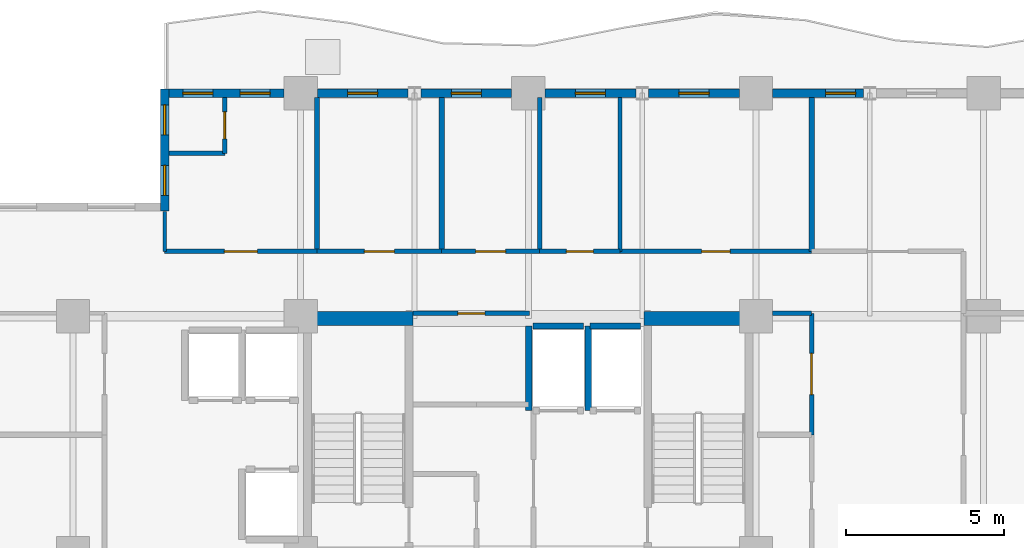
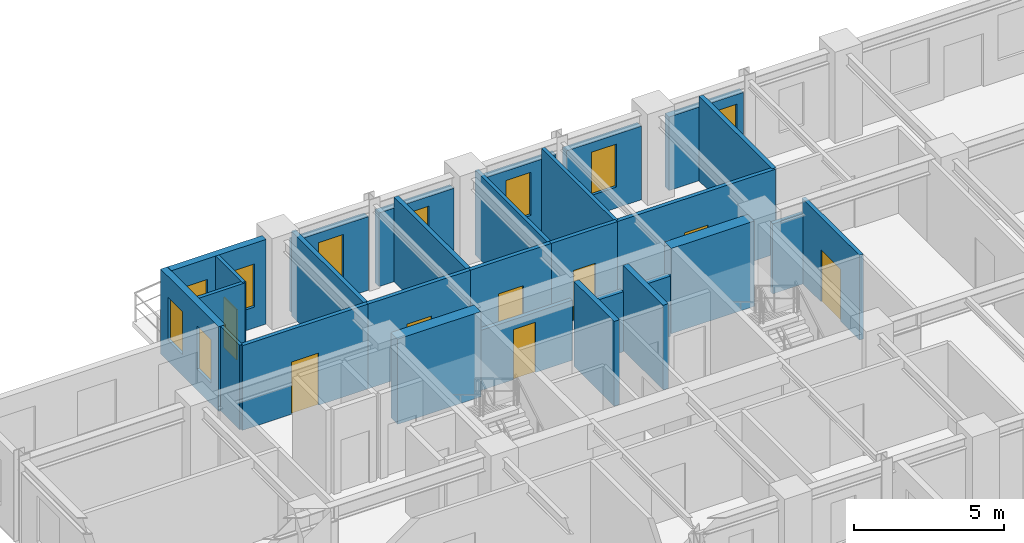
# One storey, part 8 of 13: 29 walls, 9 windows, 8 doors, 17 openings.
"""IFC4 building model written with IfcOpenShell, lengths in metres."""

import ifcopenshell
import ifcopenshell.guid

model = None  # the IFC model being written
_history = None  # IfcOwnerHistory: only IFC2X3 demands one
_inside = {}  # id of a spatial element -> (the spatial element, [elements in it])
_under = {}  # id of a project, library or spatial element -> (it, [spatial elements below it])
_declared = {}  # id of a project -> (the project, [libraries it declares])
_typed = {}  # id of a type object -> (the type object, [elements of that type])
_made_of = {}  # id of a material, layer set ... -> (it, [elements and type objects made of it])


def new_model(schema):
    """Start an empty IFC model of exactly this schema.

    Asked for "IFC4X3", IfcOpenShell would pick the latest addendum, in which some entities
    have other attributes; the version numbers below select the first issue.
    IFC2X3 requires an IfcOwnerHistory on every rooted entity: one is made here for all.
    """
    global model, _history
    if schema == "IFC4X3":
        model = ifcopenshell.file(schema_version=(4, 3, 0, 0))
    else:
        model = ifcopenshell.file(schema=schema)
    _inside.clear()
    _under.clear()
    _declared.clear()
    _typed.clear()
    _made_of.clear()
    _history = None
    if model.schema == "IFC2X3":
        org = make("IfcOrganization", Name="unknown")
        user = make(
            "IfcPersonAndOrganization",
            ThePerson=make("IfcPerson", FamilyName="unknown"),
            TheOrganization=org,
        )
        app = make(
            "IfcApplication",
            ApplicationDeveloper=org,
            Version="unknown",
            ApplicationFullName="unknown",
            ApplicationIdentifier="unknown",
        )
        _history = make(
            "IfcOwnerHistory",
            OwningUser=user,
            OwningApplication=app,
            ChangeAction="ADDED",
            CreationDate=0,
        )
    return model


def make(cls, **values):
    """One entity of the class cls with the attributes given. An attribute that is None is left unset."""
    return model.create_entity(
        cls, **{name: value for name, value in values.items() if value is not None}
    )


def rooted(cls, **values):
    """An entity with a GlobalId (a new one), such as an element, a storey or a relation."""
    return make(cls, GlobalId=ifcopenshell.guid.new(), OwnerHistory=_history, **values)


def si_unit(unit_type, name, prefix=None):
    """IfcSIUnit, for example si_unit("LENGTHUNIT", "METRE", prefix="MILLI")."""
    return make("IfcSIUnit", UnitType=unit_type, Prefix=prefix, Name=name)


def assignment(units):
    """IfcUnitAssignment: the units of a project."""
    return None if units is None else make("IfcUnitAssignment", Units=units)


def point(xyz):
    """IfcCartesianPoint."""
    return None if xyz is None else make("IfcCartesianPoint", Coordinates=xyz)


def direction(xyz):
    """IfcDirection."""
    return None if xyz is None else make("IfcDirection", DirectionRatios=xyz)


def frame(location, z_axis=None, x_axis=None):
    """IfcAxis2Placement3D, a coordinate frame: its origin and axes. An axis left out is left unset."""
    return make(
        "IfcAxis2Placement3D",
        Location=point(location),
        Axis=direction(z_axis),
        RefDirection=direction(x_axis),
    )


def frame_2d(location, x_axis=None):
    """IfcAxis2Placement2D, a coordinate frame in the plane: its origin and x axis."""
    return make(
        "IfcAxis2Placement2D", Location=point(location), RefDirection=direction(x_axis)
    )


def origin():
    """The frame at (0, 0, 0) with its axes left unset."""
    return frame((0.0, 0.0, 0.0))


def place(relative_to, where):
    """IfcLocalPlacement: puts the frame where relative to a parent placement (None: the world)."""
    return make(
        "IfcLocalPlacement", PlacementRelTo=relative_to, RelativePlacement=where
    )


def context(
    kind, dimensions, precision=None, world=None, true_north=None, identifier=None
):
    """IfcGeometricRepresentationContext, for example the 3D "Model" context."""
    return make(
        "IfcGeometricRepresentationContext",
        ContextIdentifier=identifier,
        ContextType=kind,
        CoordinateSpaceDimension=dimensions,
        Precision=precision,
        WorldCoordinateSystem=world,
        TrueNorth=true_north,
    )


def subcontext(parent, identifier, kind, view, scale=None):
    """IfcGeometricRepresentationSubContext, for example "Body" below "Model"."""
    return make(
        "IfcGeometricRepresentationSubContext",
        ContextIdentifier=identifier,
        ContextType=kind,
        ParentContext=parent,
        TargetScale=scale,
        TargetView=view,
    )


def project(units=None, contexts=None):
    """IfcProject with its units and contexts."""
    return rooted(
        "IfcProject",
        Name="project",
        RepresentationContexts=contexts,
        UnitsInContext=assignment(units),
    )


def spatial(cls, under=None, at=None, **own):
    """A site, building, storey or space (cls), placed at a placement, below another one or the project."""
    s = rooted(cls, ObjectPlacement=at, **own)
    if under is not None:
        _under.setdefault(under.id(), (under, []))[1].append(s)
    return s


def profile(cls, at=None, kind="AREA", **sizes):
    """A parametric profile (cls). Its sizes go by their IFC names, for example OverallWidth=200.0."""
    return make(cls, ProfileType=kind, Position=at, **sizes)


def rectangle(**sizes):
    """IfcRectangleProfileDef."""
    return profile("IfcRectangleProfileDef", **sizes)


def extrude(swept, where, along, depth):
    """IfcExtrudedAreaSolid: the profile swept, set in the frame where, extruded along a direction by depth."""
    return make(
        "IfcExtrudedAreaSolid",
        SweptArea=swept,
        Position=where,
        ExtrudedDirection=direction(along),
        Depth=depth,
    )


def shape(context_of_items, identifier, shape_type, items):
    """IfcShapeRepresentation: the items that make up one representation, for example the "Body"."""
    return make(
        "IfcShapeRepresentation",
        ContextOfItems=context_of_items,
        RepresentationIdentifier=identifier,
        RepresentationType=shape_type,
        Items=items,
    )


def material(Name=None, Category=None):
    """IfcMaterial."""
    return make("IfcMaterial", Name=Name, Category=Category)


def layer(
    of_material, thickness, ventilated=None, Name=None, Category=None, Priority=None
):
    """IfcMaterialLayer: one layer of a wall or slab, of a material (None: an air gap)."""
    return make(
        "IfcMaterialLayer",
        Material=of_material,
        LayerThickness=thickness,
        IsVentilated=ventilated,
        Name=Name,
        Category=Category,
        Priority=Priority,
    )


def layer_set(layers, Name=None):
    """IfcMaterialLayerSet."""
    return make("IfcMaterialLayerSet", MaterialLayers=layers, LayerSetName=Name)


def made_of(thing, what):
    """Note that an element or type object is made of a material, layer set ...; save() writes the relation."""
    if what is not None:
        _made_of.setdefault(what.id(), (what, []))[1].append(thing)
    return thing


def type_object(cls, material=None, **own):
    """A type object (cls), such as IfcWallType, which elements share."""
    return made_of(rooted(cls, **own), material)


def element(
    cls,
    number,
    at=None,
    inside=None,
    cuts=None,
    type_object=None,
    material=None,
    context=None,
    identifier="Body",
    shape_type=None,
    held_by="IfcProductDefinitionShape",
    body=None,
    shapes=None,
    **own,
):
    """One element of the class cls, such as IfcWall. Its Tag is "e" and its number.

    at: its placement. inside: the storey or other place that contains it. cuts: it is an
    opening in that element (IfcRelVoidsElement). A single representation is given by context,
    identifier, shape_type and body (its items); several are given by shapes. held_by: the class
    of the entity that holds the representations. save() writes the other relations.
    """
    e = rooted(cls, Tag="e%d" % number, ObjectPlacement=at, **own)
    if body is not None:
        shapes = [shape(context, identifier, shape_type, body)]
    if shapes is not None:
        e.Representation = make(held_by, Representations=shapes)
    if inside is not None:
        _inside.setdefault(inside.id(), (inside, []))[1].append(e)
    if cuts is not None:
        rooted(
            "IfcRelVoidsElement", RelatingBuildingElement=cuts, RelatedOpeningElement=e
        )
    if type_object is not None:
        _typed.setdefault(type_object.id(), (type_object, []))[1].append(e)
    return made_of(e, material)


def fill(opening, filler):
    """IfcRelFillsElement: the door or window that sits in an opening."""
    return rooted(
        "IfcRelFillsElement",
        RelatingOpeningElement=opening,
        RelatedBuildingElement=filler,
    )


def aggregate(whole, parts):
    """IfcRelAggregates: a whole, such as a stair, and the parts it consists of."""
    return rooted("IfcRelAggregates", RelatingObject=whole, RelatedObjects=parts)


def save(model, path):
    """Write the relations noted so far, then the file.

    IfcRelAggregates (storeys below a building ...), IfcRelContainedInSpatialStructure (elements
    in a storey), IfcRelDefinesByType, IfcRelAssociatesMaterial and IfcRelDeclares: one each for
    every whole, place, type object, material and project.
    """
    for whole, parts in _under.values():
        aggregate(whole, parts)
    for where, things in _inside.values():
        rooted(
            "IfcRelContainedInSpatialStructure",
            RelatedElements=things,
            RelatingStructure=where,
        )
    for kind, things in _typed.values():
        rooted("IfcRelDefinesByType", RelatedObjects=things, RelatingType=kind)
    for what, things in _made_of.values():
        rooted("IfcRelAssociatesMaterial", RelatedObjects=things, RelatingMaterial=what)
    for by, libraries in _declared.values():
        rooted("IfcRelDeclares", RelatingContext=by, RelatedDefinitions=libraries)
    model.write(path)


model = new_model("IFC4")

# Units and contexts
model_context = context("Model", 3, precision=1e-05, world=origin(), true_north=direction((0.0, 1.0)))
body_context = subcontext(model_context, "Body", "Model", "MODEL_VIEW")
ifc_project = project(units=[si_unit("LENGTHUNIT", "METRE"), si_unit("AREAUNIT", "SQUARE_METRE"), si_unit("VOLUMEUNIT", "CUBIC_METRE"), si_unit("PLANEANGLEUNIT", "RADIAN"), si_unit("MASSUNIT", "GRAM", prefix="KILO")], contexts=[model_context])

# Site, building, storey
site_placement = place(None, origin())
site = spatial("IfcSite", under=ifc_project, at=site_placement, CompositionType="ELEMENT")
building_placement = place(site_placement, origin())
building = spatial("IfcBuilding", under=site, at=building_placement, Name="Kaliganga Portal Commons", CompositionType="ELEMENT")
storey_placement = place(building_placement, frame((0.0, 0.0, 177.199951171875)))
storey = spatial("IfcBuildingStorey", under=building, at=storey_placement, Name="L45", CompositionType="ELEMENT", Elevation=177.199951171875)

# Walls
ifc_material_1 = material(Name="Concrete C60/75", Category="concrete")
ifc_layer_1 = layer(ifc_material_1, 0.449951171875)
ifc_layer_set_1 = layer_set([ifc_layer_1], Name="Concrete C60/75")
wall_type_1 = type_object("IfcWallType", Name="WL-CORE-450", PredefinedType="SHEAR", material=ifc_layer_set_1)
for number, where, z_axis, x_axis, name in (
    (1, (14.75, 36.074951171875, 0.0), (0.0, 0.0, 1.0), (1.0, 0.0, 0.0), "Core A N-West Shear Wall L45"),
    (2, (25.25, 36.074951171875, 0.0), (0.0, 0.0, 1.0), (1.0, 0.0, 0.0), "Core A N-East Shear Wall L45"),
):
    element("IfcWall", number, at=place(storey_placement, frame(where, z_axis=z_axis, x_axis=x_axis)), inside=storey, type_object=wall_type_1, Name=name, PredefinedType="SHEAR", context=body_context, shape_type="SweptSolid", body=[
        extrude(rectangle(XDim=3.199951171875, YDim=0.449951171875, at=frame_2d((1.60009765625, 0.0))), origin(), (0.0, 0.0, 1.0), 3.4599609375),
    ])

# Wall, opening, window
ifc_material_2 = material(Name="Insulated Aluminium-Clad Spandrel Assembly", Category="aluminium")
ifc_layer_2 = layer(ifc_material_2, 0.260009765625)
ifc_layer_set_2 = layer_set([ifc_layer_2], Name="Insulated Aluminium-Clad Spandrel Assembly")
wall_type_2 = type_object("IfcWallType", Name="WL-EXT-SPAND-260", PredefinedType="STANDARD", material=ifc_layer_set_2)
wall_1_placement = place(storey_placement, frame((29.325927734375, 43.199951171875, 0.0), z_axis=(0.0, 0.0, 1.0), x_axis=(1.0, 0.0, 0.0)))
wall_1 = element("IfcWall", 3, at=wall_1_placement, inside=storey, type_object=wall_type_2, Name="Exterior Envelope Wall L45 P1-E06-S3", PredefinedType="STANDARD", context=body_context, shape_type="SweptSolid", body=[
    extrude(rectangle(XDim=2.87109375, YDim=0.260009765625, at=frame_2d((1.435546875, 0.0))), origin(), (0.0, 0.0, 1.0), 2.989990234375),
])
opening_1_placement = place(wall_1_placement, frame((1.672607421875, 0.0, 0.85009765625)))
opening_1 = element("IfcOpeningElement", 4, at=opening_1_placement, cuts=wall_1, Name="Opening W-04", PredefinedType="OPENING", context=body_context, shape_type="SweptSolid", body=[
    extrude(rectangle(XDim=0.949951171875, YDim=1.75, at=frame_2d((0.47509765625, 0.875))), frame((0.0, 0.14013671875, 0.0), z_axis=(0.0, -1.0, 0.0), x_axis=(1.0, 0.0, 0.0)), (0.0, 0.0, 1.0), 0.280029296875),
])
ifc_material_3 = material(Name="Thermally Broken Aluminium and Low-E Double Glazing", Category="aluminium")
window_type = type_object("IfcWindowType", Name="WIN-NARROW-950", PartitioningType="SINGLE_PANEL", PredefinedType="WINDOW", material=ifc_material_3)
window_1_placement = place(opening_1_placement, origin())
window_1 = element("IfcWindow", 5, at=window_1_placement, inside=storey, type_object=window_type, Name="Facade Window L45-P1E06S3-N2", OverallHeight=1.75, OverallWidth=0.949951171875, PartitioningType="SINGLE_PANEL", PredefinedType="WINDOW", context=body_context, shape_type="SweptSolid", body=[
    extrude(rectangle(XDim=0.949951171875, YDim=1.75, at=frame_2d((0.47509765625, 0.875))), frame((0.0, 0.030029296875, 0.0), z_axis=(0.0, -1.0, 0.0), x_axis=(1.0, 0.0, 0.0)), (0.0, 0.0, 1.0), 0.06005859375),
])
fill(opening_1, window_1)

wall_2_placement = place(storey_placement, frame((25.403076171875, 43.199951171875, 0.0), z_axis=(0.0, 0.0, 1.0), x_axis=(1.0, 0.0, 0.0)))
wall_2 = element("IfcWall", 6, at=wall_2_placement, inside=storey, type_object=wall_type_2, Name="Exterior Envelope Wall L45 P1-E06-S4", PredefinedType="STANDARD", context=body_context, shape_type="SweptSolid", body=[
    extrude(rectangle(XDim=2.870849609375, YDim=0.260009765625, at=frame_2d((1.435546875, 0.0))), origin(), (0.0, 0.0, 1.0), 2.989990234375),
])
opening_2_placement = place(wall_2_placement, frame((0.96044921875, 0.0, 0.85009765625)))
opening_2 = element("IfcOpeningElement", 7, at=opening_2_placement, cuts=wall_2, Name="Opening W-04", PredefinedType="OPENING", context=body_context, shape_type="SweptSolid", body=[
    extrude(rectangle(XDim=0.949951171875, YDim=1.75, at=frame_2d((0.47509765625, 0.875))), frame((0.0, 0.14013671875, 0.0), z_axis=(0.0, -1.0, 0.0), x_axis=(1.0, 0.0, 0.0)), (0.0, 0.0, 1.0), 0.280029296875),
])
window_2_placement = place(opening_2_placement, origin())
window_2 = element("IfcWindow", 8, at=window_2_placement, inside=storey, type_object=window_type, Name="Facade Window L45-P1E06S4-00", OverallHeight=1.75, OverallWidth=0.949951171875, PartitioningType="SINGLE_PANEL", PredefinedType="WINDOW", context=body_context, shape_type="SweptSolid", body=[
    extrude(rectangle(XDim=0.949951171875, YDim=1.75, at=frame_2d((0.47509765625, 0.875))), frame((0.0, 0.030029296875, 0.0), z_axis=(0.0, -1.0, 0.0), x_axis=(1.0, 0.0, 0.0)), (0.0, 0.0, 1.0), 0.06005859375),
])
fill(opening_2, window_2)

wall_3_placement = place(storey_placement, frame((22.1259765625, 43.199951171875, 0.0), z_axis=(0.0, 0.0, 1.0), x_axis=(1.0, 0.0, 0.0)))
wall_3 = element("IfcWall", 9, at=wall_3_placement, inside=storey, type_object=wall_type_2, Name="Exterior Envelope Wall L45 P1-E06-S5", PredefinedType="STANDARD", context=body_context, shape_type="SweptSolid", body=[
    extrude(rectangle(XDim=2.87109375, YDim=0.260009765625, at=frame_2d((1.435546875, 0.0))), origin(), (0.0, 0.0, 1.0), 2.989990234375),
])
opening_3_placement = place(wall_3_placement, frame((0.96044921875, 0.0, 0.85009765625)))
opening_3 = element("IfcOpeningElement", 10, at=opening_3_placement, cuts=wall_3, Name="Opening W-04", PredefinedType="OPENING", context=body_context, shape_type="SweptSolid", body=[
    extrude(rectangle(XDim=0.949951171875, YDim=1.75, at=frame_2d((0.47509765625, 0.875))), frame((0.0, 0.14013671875, 0.0), z_axis=(0.0, -1.0, 0.0), x_axis=(1.0, 0.0, 0.0)), (0.0, 0.0, 1.0), 0.280029296875),
])
window_3_placement = place(opening_3_placement, origin())
window_3 = element("IfcWindow", 11, at=window_3_placement, inside=storey, type_object=window_type, Name="Facade Window L45-P1E06S5-00", OverallHeight=1.75, OverallWidth=0.949951171875, PartitioningType="SINGLE_PANEL", PredefinedType="WINDOW", context=body_context, shape_type="SweptSolid", body=[
    extrude(rectangle(XDim=0.949951171875, YDim=1.75, at=frame_2d((0.47509765625, 0.875))), frame((0.0, 0.030029296875, 0.0), z_axis=(0.0, -1.0, 0.0), x_axis=(1.0, 0.0, 0.0)), (0.0, 0.0, 1.0), 0.06005859375),
])
fill(opening_3, window_3)

wall_4_placement = place(storey_placement, frame((18.202880859375, 43.199951171875, 0.0), z_axis=(0.0, 0.0, 1.0), x_axis=(1.0, 0.0, 0.0)))
wall_4 = element("IfcWall", 12, at=wall_4_placement, inside=storey, type_object=wall_type_2, Name="Exterior Envelope Wall L45 P1-E06-S6", PredefinedType="STANDARD", context=body_context, shape_type="SweptSolid", body=[
    extrude(rectangle(XDim=2.87109375, YDim=0.260009765625, at=frame_2d((1.435546875, 0.0))), origin(), (0.0, 0.0, 1.0), 2.989990234375),
])
opening_4_placement = place(wall_4_placement, frame((0.96044921875, 0.0, 0.85009765625)))
opening_4 = element("IfcOpeningElement", 13, at=opening_4_placement, cuts=wall_4, Name="Opening W-04", PredefinedType="OPENING", context=body_context, shape_type="SweptSolid", body=[
    extrude(rectangle(XDim=0.949951171875, YDim=1.75, at=frame_2d((0.47509765625, 0.875))), frame((0.0, 0.14013671875, 0.0), z_axis=(0.0, -1.0, 0.0), x_axis=(1.0, 0.0, 0.0)), (0.0, 0.0, 1.0), 0.280029296875),
])
window_4_placement = place(opening_4_placement, origin())
window_4 = element("IfcWindow", 14, at=window_4_placement, inside=storey, type_object=window_type, Name="Facade Window L45-P1E06S6-00", OverallHeight=1.75, OverallWidth=0.949951171875, PartitioningType="SINGLE_PANEL", PredefinedType="WINDOW", context=body_context, shape_type="SweptSolid", body=[
    extrude(rectangle(XDim=0.949951171875, YDim=1.75, at=frame_2d((0.47509765625, 0.875))), frame((0.0, 0.030029296875, 0.0), z_axis=(0.0, -1.0, 0.0), x_axis=(1.0, 0.0, 0.0)), (0.0, 0.0, 1.0), 0.06005859375),
])
fill(opening_4, window_4)

wall_5_placement = place(storey_placement, frame((14.926025390625, 43.199951171875, 0.0), z_axis=(0.0, 0.0, 1.0), x_axis=(1.0, 0.0, 0.0)))
wall_5 = element("IfcWall", 15, at=wall_5_placement, inside=storey, type_object=wall_type_2, Name="Exterior Envelope Wall L45 P1-E06-S7", PredefinedType="STANDARD", context=body_context, shape_type="SweptSolid", body=[
    extrude(rectangle(XDim=2.87109375, YDim=0.260009765625, at=frame_2d((1.435546875, 0.0))), origin(), (0.0, 0.0, 1.0), 2.989990234375),
])
opening_5_placement = place(wall_5_placement, frame((0.96044921875, 0.0, 0.85009765625)))
opening_5 = element("IfcOpeningElement", 16, at=opening_5_placement, cuts=wall_5, Name="Opening W-04", PredefinedType="OPENING", context=body_context, shape_type="SweptSolid", body=[
    extrude(rectangle(XDim=0.949951171875, YDim=1.75, at=frame_2d((0.47509765625, 0.875))), frame((0.0, 0.14013671875, 0.0), z_axis=(0.0, -1.0, 0.0), x_axis=(1.0, 0.0, 0.0)), (0.0, 0.0, 1.0), 0.280029296875),
])
window_5_placement = place(opening_5_placement, origin())
window_5 = element("IfcWindow", 17, at=window_5_placement, inside=storey, type_object=window_type, Name="Facade Window L45-P1E06S7-00", OverallHeight=1.75, OverallWidth=0.949951171875, PartitioningType="SINGLE_PANEL", PredefinedType="WINDOW", context=body_context, shape_type="SweptSolid", body=[
    extrude(rectangle(XDim=0.949951171875, YDim=1.75, at=frame_2d((0.47509765625, 0.875))), frame((0.0, 0.030029296875, 0.0), z_axis=(0.0, -1.0, 0.0), x_axis=(1.0, 0.0, 0.0)), (0.0, 0.0, 1.0), 0.06005859375),
])
fill(opening_5, window_5)

# Wall, openings, windows
wall_6_placement = place(storey_placement, frame((10.235107421875, 43.199951171875, 0.0), z_axis=(0.0, 0.0, 1.0), x_axis=(1.0, 0.0, 0.0)))
wall_6 = element("IfcWall", 18, at=wall_6_placement, inside=storey, type_object=wall_type_2, Name="Exterior Envelope Wall L45 P1-E06-S8", PredefinedType="STANDARD", context=body_context, shape_type="SweptSolid", body=[
    extrude(rectangle(XDim=3.638916015625, YDim=0.260009765625, at=frame_2d((1.8193359375, 0.0))), origin(), (0.0, 0.0, 1.0), 3.43994140625),
])
opening_6_placement = place(wall_6_placement, frame((0.44189453125, 0.0, 0.85009765625)))
opening_6 = element("IfcOpeningElement", 19, at=opening_6_placement, cuts=wall_6, Name="Opening W-04", PredefinedType="OPENING", context=body_context, shape_type="SweptSolid", body=[
    extrude(rectangle(XDim=0.949951171875, YDim=1.75, at=frame_2d((0.47509765625, 0.875))), frame((0.0, 0.14013671875, 0.0), z_axis=(0.0, -1.0, 0.0), x_axis=(1.0, 0.0, 0.0)), (0.0, 0.0, 1.0), 0.280029296875),
])
opening_7_placement = place(wall_6_placement, frame((2.2470703125, 0.0, 0.85009765625)))
opening_7 = element("IfcOpeningElement", 20, at=opening_7_placement, cuts=wall_6, Name="Opening W-04", PredefinedType="OPENING", context=body_context, shape_type="SweptSolid", body=[
    extrude(rectangle(XDim=0.949951171875, YDim=1.75, at=frame_2d((0.47509765625, 0.875))), frame((0.0, 0.14013671875, 0.0), z_axis=(0.0, -1.0, 0.0), x_axis=(1.0, 0.0, 0.0)), (0.0, 0.0, 1.0), 0.280029296875),
])
window_6_placement = place(opening_6_placement, origin())
window_6 = element("IfcWindow", 21, at=window_6_placement, inside=storey, type_object=window_type, Name="Facade Window L45-P1E06S8-N1", OverallHeight=1.75, OverallWidth=0.949951171875, PartitioningType="SINGLE_PANEL", PredefinedType="WINDOW", context=body_context, shape_type="SweptSolid", body=[
    extrude(rectangle(XDim=0.949951171875, YDim=1.75, at=frame_2d((0.47509765625, 0.875))), frame((0.0, 0.030029296875, 0.0), z_axis=(0.0, -1.0, 0.0), x_axis=(1.0, 0.0, 0.0)), (0.0, 0.0, 1.0), 0.06005859375),
])
fill(opening_6, window_6)
window_7_placement = place(opening_7_placement, origin())
window_7 = element("IfcWindow", 22, at=window_7_placement, inside=storey, type_object=window_type, Name="Facade Window L45-P1E06S8-N2", OverallHeight=1.75, OverallWidth=0.949951171875, PartitioningType="SINGLE_PANEL", PredefinedType="WINDOW", context=body_context, shape_type="SweptSolid", body=[
    extrude(rectangle(XDim=0.949951171875, YDim=1.75, at=frame_2d((0.47509765625, 0.875))), frame((0.0, 0.030029296875, 0.0), z_axis=(0.0, -1.0, 0.0), x_axis=(1.0, 0.0, 0.0)), (0.0, 0.0, 1.0), 0.06005859375),
])
fill(opening_7, window_7)

wall_7_placement = place(storey_placement, frame((10.10009765625, 39.469970703125, 0.0), z_axis=(0.0, 0.0, 1.0), x_axis=(0.0, 1.0, 0.0)))
wall_7 = element("IfcWall", 23, at=wall_7_placement, inside=storey, type_object=wall_type_2, Name="Exterior Envelope Wall L45 P1-E07-S1", PredefinedType="STANDARD", context=body_context, shape_type="SweptSolid", body=[
    extrude(rectangle(XDim=3.860107421875, YDim=0.260009765625, at=frame_2d((1.93017578125, 0.0))), origin(), (0.0, 0.0, 1.0), 3.43994140625),
])
opening_8_placement = place(wall_7_placement, frame((0.497802734375, 0.0, 0.85009765625)))
opening_8 = element("IfcOpeningElement", 24, at=opening_8_placement, cuts=wall_7, Name="Opening W-04", PredefinedType="OPENING", context=body_context, shape_type="SweptSolid", body=[
    extrude(rectangle(XDim=0.949951171875, YDim=1.75, at=frame_2d((0.47509765625, 0.875))), frame((0.0, 0.14013671875, 0.0), z_axis=(0.0, -1.0, 0.0), x_axis=(1.0, 0.0, 0.0)), (0.0, 0.0, 1.0), 0.280029296875),
])
opening_9_placement = place(wall_7_placement, frame((2.412353515625, 0.0, 0.85009765625)))
opening_9 = element("IfcOpeningElement", 25, at=opening_9_placement, cuts=wall_7, Name="Opening W-04", PredefinedType="OPENING", context=body_context, shape_type="SweptSolid", body=[
    extrude(rectangle(XDim=0.949951171875, YDim=1.75, at=frame_2d((0.47509765625, 0.875))), frame((0.0, 0.14013671875, 0.0), z_axis=(0.0, -1.0, 0.0), x_axis=(1.0, 0.0, 0.0)), (0.0, 0.0, 1.0), 0.280029296875),
])
window_8_placement = place(opening_8_placement, origin())
window_8 = element("IfcWindow", 26, at=window_8_placement, inside=storey, type_object=window_type, Name="Facade Window L45-P1E07S1-N1", OverallHeight=1.75, OverallWidth=0.949951171875, PartitioningType="SINGLE_PANEL", PredefinedType="WINDOW", context=body_context, shape_type="SweptSolid", body=[
    extrude(rectangle(XDim=0.949951171875, YDim=1.75, at=frame_2d((0.47509765625, 0.875))), frame((0.0, 0.030029296875, 0.0), z_axis=(0.0, -1.0, 0.0), x_axis=(1.0, 0.0, 0.0)), (0.0, 0.0, 1.0), 0.06005859375),
])
fill(opening_8, window_8)
window_9_placement = place(opening_9_placement, origin())
window_9 = element("IfcWindow", 27, at=window_9_placement, inside=storey, type_object=window_type, Name="Facade Window L45-P1E07S1-N2", OverallHeight=1.75, OverallWidth=0.949951171875, PartitioningType="SINGLE_PANEL", PredefinedType="WINDOW", context=body_context, shape_type="SweptSolid", body=[
    extrude(rectangle(XDim=0.949951171875, YDim=1.75, at=frame_2d((0.47509765625, 0.875))), frame((0.0, 0.030029296875, 0.0), z_axis=(0.0, -1.0, 0.0), x_axis=(1.0, 0.0, 0.0)), (0.0, 0.0, 1.0), 0.06005859375),
])
fill(opening_9, window_9)

# Wall, opening, door
ifc_material_4 = material(Name="Fire-Rated Gypsum Board on Steel Stud", Category="steel")
ifc_layer_3 = layer(ifc_material_4, 0.14990234375)
ifc_layer_set_3 = layer_set([ifc_layer_3], Name="Fire-Rated Gypsum Board on Steel Stud")
wall_type_3 = type_object("IfcWallType", Name="WL-PART-CORR-150", PredefinedType="PARTITIONING", material=ifc_layer_set_3)
wall_8_placement = place(storey_placement, frame((24.5, 38.199951171875, 0.0), z_axis=(0.0, 0.0, 1.0), x_axis=(1.0, 0.0, 0.0)))
wall_8 = element("IfcWall", 28, at=wall_8_placement, inside=storey, type_object=wall_type_3, Name="Interior Partition L45-018", PredefinedType="PARTITIONING", context=body_context, shape_type="SweptSolid", body=[
    extrude(rectangle(XDim=6.06005859375, YDim=0.14990234375, at=frame_2d((3.030029296875, 0.0))), origin(), (0.0, 0.0, 1.0), 3.43994140625),
])
opening_10_placement = place(wall_8_placement, frame((2.580078125, 0.0, 0.0)))
opening_10 = element("IfcOpeningElement", 29, at=opening_10_placement, cuts=wall_8, Name="Opening RD-01", PredefinedType="OPENING", context=body_context, shape_type="SweptSolid", body=[
    extrude(rectangle(XDim=0.89990234375, YDim=2.080078125, at=frame_2d((0.449951171875, 1.0400390625))), frame((0.0, 0.0849609375, 0.0), z_axis=(0.0, -1.0, 0.0), x_axis=(1.0, 0.0, 0.0)), (0.0, 0.0, 1.0), 0.169921875),
])
ifc_material_5 = material(Name="Engineered Timber Flush Door", Category="wood")
door_type_1 = type_object("IfcDoorType", Name="DR-ROOM-900", OperationType="NOTDEFINED", PredefinedType="DOOR", material=ifc_material_5)
door_1_placement = place(opening_10_placement, origin())
door_1 = element("IfcDoor", 30, at=door_1_placement, inside=storey, type_object=door_type_1, Name="Interior Door L45-AN05", OperationType="SINGLE_SWING_LEFT", OverallHeight=2.080078125, OverallWidth=0.89990234375, PredefinedType="DOOR", context=body_context, shape_type="SweptSolid", body=[
    extrude(rectangle(XDim=0.89990234375, YDim=2.080078125, at=frame_2d((0.449951171875, 1.0400390625))), frame((0.0, 0.02490234375, 0.0), z_axis=(0.0, -1.0, 0.0), x_axis=(1.0, 0.0, 0.0)), (0.0, 0.0, 1.0), 0.050048828125),
])
fill(opening_10, door_1)

wall_9_placement = place(storey_placement, frame((10.10009765625, 38.199951171875, 0.0), z_axis=(0.0, 0.0, 1.0), x_axis=(1.0, 0.0, 0.0)))
wall_9 = element("IfcWall", 31, at=wall_9_placement, inside=storey, type_object=wall_type_3, Name="Interior Partition L45-027", PredefinedType="PARTITIONING", context=body_context, shape_type="SweptSolid", body=[
    extrude(rectangle(XDim=4.81982421875, YDim=0.14990234375, at=frame_2d((2.409912109375, 0.0))), origin(), (0.0, 0.0, 1.0), 3.43994140625),
])
opening_11_placement = place(wall_9_placement, frame((1.885009765625, 0.0, 0.0)))
opening_11 = element("IfcOpeningElement", 32, at=opening_11_placement, cuts=wall_9, Name="Opening UD-02", PredefinedType="OPENING", context=body_context, shape_type="SweptSolid", body=[
    extrude(rectangle(XDim=1.050048828125, YDim=2.1201171875, at=frame_2d((0.52490234375, 1.06005859375))), frame((0.0, 0.0849609375, 0.0), z_axis=(0.0, -1.0, 0.0), x_axis=(1.0, 0.0, 0.0)), (0.0, 0.0, 1.0), 0.169921875),
])
ifc_material_6 = material(Name="Accessible Wide-Leaf Acoustic Fire Door", Category="wood")
door_type_2 = type_object("IfcDoorType", Name="DR-ACC-1050", OperationType="NOTDEFINED", PredefinedType="DOOR", material=ifc_material_6)
door_2_placement = place(opening_11_placement, origin())
door_2 = element("IfcDoor", 33, at=door_2_placement, inside=storey, type_object=door_type_2, Name="Interior Door L45-AN01", OperationType="SINGLE_SWING_RIGHT", OverallHeight=2.1201171875, OverallWidth=1.050048828125, PredefinedType="DOOR", context=body_context, shape_type="SweptSolid", body=[
    extrude(rectangle(XDim=1.050048828125, YDim=2.1201171875, at=frame_2d((0.52490234375, 1.06005859375))), frame((0.0, 0.02490234375, 0.0), z_axis=(0.0, -1.0, 0.0), x_axis=(1.0, 0.0, 0.0)), (0.0, 0.0, 1.0), 0.050048828125),
])
fill(opening_11, door_2)

wall_10_placement = place(storey_placement, frame((14.919921875, 38.199951171875, 0.0), z_axis=(0.0, 0.0, 1.0), x_axis=(1.0, 0.0, 0.0)))
wall_10 = element("IfcWall", 34, at=wall_10_placement, inside=storey, type_object=wall_type_3, Name="Interior Partition L45-033", PredefinedType="PARTITIONING", context=body_context, shape_type="SweptSolid", body=[
    extrude(rectangle(XDim=3.940185546875, YDim=0.14990234375, at=frame_2d((1.97021484375, 0.0))), origin(), (0.0, 0.0, 1.0), 3.43994140625),
])
opening_12_placement = place(wall_10_placement, frame((1.4951171875, 0.0, 0.0)))
opening_12 = element("IfcOpeningElement", 35, at=opening_12_placement, cuts=wall_10, Name="Opening UD-01", PredefinedType="OPENING", context=body_context, shape_type="SweptSolid", body=[
    extrude(rectangle(XDim=0.949951171875, YDim=2.10009765625, at=frame_2d((0.47509765625, 1.050048828125))), frame((0.0, 0.0849609375, 0.0), z_axis=(0.0, -1.0, 0.0), x_axis=(1.0, 0.0, 0.0)), (0.0, 0.0, 1.0), 0.169921875),
])
ifc_material_7 = material(Name="Solid-Core Timber Acoustic Fire Door", Category="wood")
door_type_3 = type_object("IfcDoorType", Name="DR-UNIT-950", OperationType="NOTDEFINED", PredefinedType="DOOR", material=ifc_material_7)
door_3_placement = place(opening_12_placement, origin())
door_3 = element("IfcDoor", 36, at=door_3_placement, inside=storey, type_object=door_type_3, Name="Interior Door L45-AN02", OperationType="SINGLE_SWING_RIGHT", OverallHeight=2.10009765625, OverallWidth=0.949951171875, PredefinedType="DOOR", context=body_context, shape_type="SweptSolid", body=[
    extrude(rectangle(XDim=0.949951171875, YDim=2.10009765625, at=frame_2d((0.47509765625, 1.050048828125))), frame((0.0, 0.02490234375, 0.0), z_axis=(0.0, -1.0, 0.0), x_axis=(1.0, 0.0, 0.0)), (0.0, 0.0, 1.0), 0.050048828125),
])
fill(opening_12, door_3)

wall_11_placement = place(storey_placement, frame((30.56005859375, 32.39990234375, 0.0), z_axis=(0.0, 0.0, 1.0), x_axis=(0.0, 1.0, 0.0)))
wall_11 = element("IfcWall", 37, at=wall_11_placement, inside=storey, type_object=wall_type_3, Name="Interior Partition L45-035", PredefinedType="PARTITIONING", context=body_context, shape_type="SweptSolid", body=[
    extrude(rectangle(XDim=3.840087890625, YDim=0.14990234375, at=frame_2d((1.919921875, 0.0))), origin(), (0.0, 0.0, 1.0), 3.43994140625),
])
opening_13_placement = place(wall_11_placement, frame((1.27001953125, 0.0, 0.0)))
opening_13 = element("IfcOpeningElement", 38, at=opening_13_placement, cuts=wall_11, Name="Opening RD-03", PredefinedType="OPENING", context=body_context, shape_type="SweptSolid", body=[
    extrude(rectangle(XDim=1.300048828125, YDim=2.1201171875, at=frame_2d((0.64990234375, 1.06005859375))), frame((0.0, 0.0849609375, 0.0), z_axis=(0.0, -1.0, 0.0), x_axis=(1.0, 0.0, 0.0)), (0.0, 0.0, 1.0), 0.169921875),
])
ifc_material_8 = material(Name="Glazed Timber Seminar Vision Door", Category="wood")
door_type_4 = type_object("IfcDoorType", Name="DR-STUDY-1300", OperationType="DOUBLE_DOOR_SINGLE_SWING", PredefinedType="DOOR", material=ifc_material_8)
door_4_placement = place(opening_13_placement, origin())
door_4 = element("IfcDoor", 39, at=door_4_placement, inside=storey, type_object=door_type_4, Name="Interior Door L45-CSRV_A2", OperationType="DOUBLE_DOOR_SINGLE_SWING", OverallHeight=2.1201171875, OverallWidth=1.300048828125, PredefinedType="DOOR", context=body_context, shape_type="SweptSolid", body=[
    extrude(rectangle(XDim=1.300048828125, YDim=2.1201171875, at=frame_2d((0.64990234375, 1.06005859375))), frame((0.0, 0.02490234375, 0.0), z_axis=(0.0, -1.0, 0.0), x_axis=(1.0, 0.0, 0.0)), (0.0, 0.0, 1.0), 0.050048828125),
])
fill(opening_13, door_4)

wall_12_placement = place(storey_placement, frame((17.9599609375, 36.239990234375, 0.0), z_axis=(0.0, 0.0, 1.0), x_axis=(1.0, 0.0, 0.0)))
wall_12 = element("IfcWall", 40, at=wall_12_placement, inside=storey, type_object=wall_type_3, Name="Interior Partition L45-039", PredefinedType="PARTITIONING", context=body_context, shape_type="SweptSolid", body=[
    extrude(rectangle(XDim=3.679931640625, YDim=0.14990234375, at=frame_2d((1.83984375, 0.0))), origin(), (0.0, 0.0, 1.0), 2.43994140625),
])
opening_14_placement = place(wall_12_placement, frame((1.4150390625, 0.0, 0.0)))
opening_14 = element("IfcOpeningElement", 41, at=opening_14_placement, cuts=wall_12, Name="Opening WD-01", PredefinedType="OPENING", context=body_context, shape_type="SweptSolid", body=[
    extrude(rectangle(XDim=0.85009765625, YDim=2.0400390625, at=frame_2d((0.425048828125, 1.02001953125))), frame((0.0, 0.0849609375, 0.0), z_axis=(0.0, -1.0, 0.0), x_axis=(1.0, 0.0, 0.0)), (0.0, 0.0, 1.0), 0.169921875),
])
ifc_material_9 = material(Name="Moisture-Resistant Laminate Timber Door", Category="wood")
door_type_5 = type_object("IfcDoorType", Name="DR-WET-850", OperationType="NOTDEFINED", PredefinedType="DOOR", material=ifc_material_9)
door_5_placement = place(opening_14_placement, origin())
door_5 = element("IfcDoor", 42, at=door_5_placement, inside=storey, type_object=door_type_5, Name="Interior Door L45-CREC_A1", OperationType="SINGLE_SWING_LEFT", OverallHeight=2.0400390625, OverallWidth=0.85009765625, PredefinedType="DOOR", context=body_context, shape_type="SweptSolid", body=[
    extrude(rectangle(XDim=0.85009765625, YDim=2.0400390625, at=frame_2d((0.425048828125, 1.02001953125))), frame((0.0, 0.02490234375, 0.0), z_axis=(0.0, -1.0, 0.0), x_axis=(1.0, 0.0, 0.0)), (0.0, 0.0, 1.0), 0.050048828125),
])
fill(opening_14, door_5)

wall_13_placement = place(storey_placement, frame((18.860107421875, 38.199951171875, 0.0), z_axis=(0.0, 0.0, 1.0), x_axis=(1.0, 0.0, 0.0)))
wall_13 = element("IfcWall", 43, at=wall_13_placement, inside=storey, type_object=wall_type_3, Name="Interior Partition L45-040", PredefinedType="PARTITIONING", context=body_context, shape_type="SweptSolid", body=[
    extrude(rectangle(XDim=3.099853515625, YDim=0.14990234375, at=frame_2d((1.5498046875, 0.0))), origin(), (0.0, 0.0, 1.0), 3.43994140625),
])
opening_15_placement = place(wall_13_placement, frame((1.074951171875, 0.0, 0.0)))
opening_15 = element("IfcOpeningElement", 44, at=opening_15_placement, cuts=wall_13, Name="Opening UD-01", PredefinedType="OPENING", context=body_context, shape_type="SweptSolid", body=[
    extrude(rectangle(XDim=0.949951171875, YDim=2.10009765625, at=frame_2d((0.47509765625, 1.050048828125))), frame((0.0, 0.0849609375, 0.0), z_axis=(0.0, -1.0, 0.0), x_axis=(1.0, 0.0, 0.0)), (0.0, 0.0, 1.0), 0.169921875),
])
door_6_placement = place(opening_15_placement, origin())
door_6 = element("IfcDoor", 45, at=door_6_placement, inside=storey, type_object=door_type_3, Name="Interior Door L45-AN03", OperationType="SINGLE_SWING_RIGHT", OverallHeight=2.10009765625, OverallWidth=0.949951171875, PredefinedType="DOOR", context=body_context, shape_type="SweptSolid", body=[
    extrude(rectangle(XDim=0.949951171875, YDim=2.10009765625, at=frame_2d((0.47509765625, 1.050048828125))), frame((0.0, 0.02490234375, 0.0), z_axis=(0.0, -1.0, 0.0), x_axis=(1.0, 0.0, 0.0)), (0.0, 0.0, 1.0), 0.050048828125),
])
fill(opening_15, door_6)

wall_14_placement = place(storey_placement, frame((21.9599609375, 38.199951171875, 0.0), z_axis=(0.0, 0.0, 1.0), x_axis=(1.0, 0.0, 0.0)))
wall_14 = element("IfcWall", 46, at=wall_14_placement, inside=storey, type_object=wall_type_3, Name="Interior Partition L45-044", PredefinedType="PARTITIONING", context=body_context, shape_type="SweptSolid", body=[
    extrude(rectangle(XDim=2.5400390625, YDim=0.14990234375, at=frame_2d((1.27001953125, 0.0))), origin(), (0.0, 0.0, 1.0), 3.43994140625),
])
opening_16_placement = place(wall_14_placement, frame((0.844970703125, 0.0, 0.0)))
opening_16 = element("IfcOpeningElement", 47, at=opening_16_placement, cuts=wall_14, Name="Opening WD-01", PredefinedType="OPENING", context=body_context, shape_type="SweptSolid", body=[
    extrude(rectangle(XDim=0.85009765625, YDim=2.0400390625, at=frame_2d((0.425048828125, 1.02001953125))), frame((0.0, 0.0849609375, 0.0), z_axis=(0.0, -1.0, 0.0), x_axis=(1.0, 0.0, 0.0)), (0.0, 0.0, 1.0), 0.169921875),
])
door_7_placement = place(opening_16_placement, origin())
door_7 = element("IfcDoor", 48, at=door_7_placement, inside=storey, type_object=door_type_5, Name="Interior Door L45-AN04", OperationType="SINGLE_SWING_LEFT", OverallHeight=2.0400390625, OverallWidth=0.85009765625, PredefinedType="DOOR", context=body_context, shape_type="SweptSolid", body=[
    extrude(rectangle(XDim=0.85009765625, YDim=2.0400390625, at=frame_2d((0.425048828125, 1.02001953125))), frame((0.0, 0.02490234375, 0.0), z_axis=(0.0, -1.0, 0.0), x_axis=(1.0, 0.0, 0.0)), (0.0, 0.0, 1.0), 0.050048828125),
])
fill(opening_16, door_7)

# Walls
wall_15_placement = place(storey_placement, frame((29.324951171875, 36.239990234375, 0.0), z_axis=(0.0, 0.0, 1.0), x_axis=(1.0, 0.0, 0.0)))
element("IfcWall", 49, at=wall_15_placement, inside=storey, type_object=wall_type_3, Name="Interior Partition L45-050", PredefinedType="PARTITIONING", context=body_context, shape_type="SweptSolid", body=[
    extrude(rectangle(XDim=1.235107421875, YDim=0.14990234375, at=frame_2d((0.61767578125, 0.0))), origin(), (0.0, 0.0, 1.0), 2.840087890625),
])
ifc_material_10 = material(Name="Moisture-Resistant Gypsum Partition", Category="gypsum")
ifc_layer_4 = layer(ifc_material_10, 0.114990234375)
ifc_layer_set_4 = layer_set([ifc_layer_4], Name="Moisture-Resistant Gypsum Partition")
wall_type_4 = type_object("IfcWallType", Name="WL-PART-ROOM-115", PredefinedType="PARTITIONING", material=ifc_layer_set_4)
wall_16_placement = place(storey_placement, frame((10.10009765625, 38.199951171875, 0.0), z_axis=(0.0, 0.0, 1.0), x_axis=(0.0, 1.0, 0.0)))
element("IfcWall", 50, at=wall_16_placement, inside=storey, type_object=wall_type_4, Name="Interior Partition L45-078", PredefinedType="PARTITIONING", context=body_context, shape_type="SweptSolid", body=[
    extrude(rectangle(XDim=1.26806640625, YDim=0.114990234375, at=frame_2d((0.634033203125, 0.0))), origin(), (0.0, 0.0, 1.0), 3.43994140625),
])
ifc_material_11 = material(Name="Twin-Stud Acoustic Gypsum Partition", Category="gypsum")
ifc_layer_5 = layer(ifc_material_11, 0.1650390625)
ifc_layer_set_5 = layer_set([ifc_layer_5], Name="Twin-Stud Acoustic Gypsum Partition")
wall_type_5 = type_object("IfcWallType", Name="WL-PART-UNIT-165", PredefinedType="PARTITIONING", material=ifc_layer_set_5)
for number, where, z_axis, x_axis, name in (
    (51, (14.919921875, 38.199951171875, 0.0), (0.0, 0.0, 1.0), (0.0, 1.0, 0.0), "Interior Partition L45-064"),
    (52, (18.860107421875, 38.199951171875, 0.0), (0.0, 0.0, 1.0), (0.0, 1.0, 0.0), "Interior Partition L45-066"),
    (53, (30.56005859375, 38.199951171875, 0.0), (0.0, 0.0, 1.0), (0.0, 1.0, 0.0), "Interior Partition L45-070"),
):
    element("IfcWall", number, at=place(storey_placement, frame(where, z_axis=z_axis, x_axis=x_axis)), inside=storey, type_object=wall_type_5, Name=name, PredefinedType="PARTITIONING", context=body_context, shape_type="SweptSolid", body=[
        extrude(rectangle(XDim=4.8681640625, YDim=0.1650390625, at=frame_2d((2.43408203125, 0.0))), origin(), (0.0, 0.0, 1.0), 3.43994140625),
    ])

# Wall, opening, door
ifc_material_12 = material(Name="Cement-Board Wet-Room Partition", Category="gypsum")
ifc_layer_6 = layer(ifc_material_12, 0.135009765625)
ifc_layer_set_6 = layer_set([ifc_layer_6], Name="Cement-Board Wet-Room Partition")
wall_type_6 = type_object("IfcWallType", Name="WL-PART-WET-135", PredefinedType="PARTITIONING", material=ifc_layer_set_6)
wall_17_placement = place(storey_placement, frame((12.0, 41.300048828125, 0.0), z_axis=(0.0, 0.0, 1.0), x_axis=(0.0, 1.0, 0.0)))
wall_17 = element("IfcWall", 54, at=wall_17_placement, inside=storey, type_object=wall_type_6, Name="Interior Partition L45-001", PredefinedType="PARTITIONING", context=body_context, shape_type="SweptSolid", body=[
    extrude(rectangle(XDim=1.76806640625, YDim=0.135009765625, at=frame_2d((0.884033203125, 0.0))), origin(), (0.0, 0.0, 1.0), 3.43994140625),
])
opening_17_placement = place(wall_17_placement, frame((0.458984375, 0.0, 0.0)))
opening_17 = element("IfcOpeningElement", 55, at=opening_17_placement, cuts=wall_17, Name="Opening WD-01", PredefinedType="OPENING", context=body_context, shape_type="SweptSolid", body=[
    extrude(rectangle(XDim=0.85009765625, YDim=2.0400390625, at=frame_2d((0.425048828125, 1.02001953125))), frame((0.0, 0.07763671875, 0.0), z_axis=(0.0, -1.0, 0.0), x_axis=(1.0, 0.0, 0.0)), (0.0, 0.0, 1.0), 0.155029296875),
])
door_8_placement = place(opening_17_placement, origin())
door_8 = element("IfcDoor", 56, at=door_8_placement, inside=storey, type_object=door_type_5, Name="Interior Door L45-AN01E", OperationType="SINGLE_SWING_LEFT", OverallHeight=2.0400390625, OverallWidth=0.85009765625, PredefinedType="DOOR", context=body_context, shape_type="SweptSolid", body=[
    extrude(rectangle(XDim=0.85009765625, YDim=2.0400390625, at=frame_2d((0.425048828125, 1.02001953125))), frame((0.0, 0.02490234375, 0.0), z_axis=(0.0, -1.0, 0.0), x_axis=(1.0, 0.0, 0.0)), (0.0, 0.0, 1.0), 0.050048828125),
])
fill(opening_17, door_8)

# Walls
wall_18_placement = place(storey_placement, frame((10.23193359375, 41.300048828125, 0.0), z_axis=(0.0, 0.0, 1.0), x_axis=(1.0, 0.0, 0.0)))
element("IfcWall", 57, at=wall_18_placement, inside=storey, type_object=wall_type_6, Name="Interior Partition L45-003", PredefinedType="PARTITIONING", context=body_context, shape_type="SweptSolid", body=[
    extrude(rectangle(XDim=1.76806640625, YDim=0.135009765625, at=frame_2d((0.884033203125, 0.0))), origin(), (0.0, 0.0, 1.0), 3.43994140625),
])
for number, where, z_axis, x_axis, name in (
    (58, (21.9599609375, 38.199951171875, 0.0), (0.0, 0.0, 1.0), (0.0, 1.0, 0.0), "Interior Partition L45-067"),
    (59, (24.5, 38.199951171875, 0.0), (0.0, 0.0, 1.0), (0.0, 1.0, 0.0), "Interior Partition L45-069"),
):
    element("IfcWall", number, at=place(storey_placement, frame(where, z_axis=z_axis, x_axis=x_axis)), inside=storey, type_object=wall_type_6, Name=name, PredefinedType="PARTITIONING", context=body_context, shape_type="SweptSolid", body=[
        extrude(rectangle(XDim=4.8681640625, YDim=0.135009765625, at=frame_2d((2.43408203125, 0.0))), origin(), (0.0, 0.0, 1.0), 3.43994140625),
    ])
ifc_material_13 = material(Name="Fire-Rated Shaftwall Masonry Assembly", Category="masonry")
ifc_layer_7 = layer(ifc_material_13, 0.199951171875)
ifc_layer_set_7 = layer_set([ifc_layer_7], Name="Fire-Rated Shaftwall Masonry Assembly")
wall_type_7 = type_object("IfcWallType", Name="WL-SHAFT-200", PredefinedType="PARTITIONING", material=ifc_layer_set_7)
wall_19_placement = place(storey_placement, frame((21.75, 35.840087890625, 0.0), z_axis=(0.0, 0.0, 1.0), x_axis=(1.0, 0.0, 0.0)))
element("IfcWall", 60, at=wall_19_placement, inside=storey, type_object=wall_type_7, Name="Lift FFL-1 Hoistway Shaft Wall L45-N", PredefinedType="PARTITIONING", context=body_context, shape_type="SweptSolid", body=[
    extrude(rectangle(XDim=1.60009765625, YDim=0.199951171875, at=frame_2d((0.800048828125, 0.0))), origin(), (0.0, 0.0, 1.0), 2.43994140625),
])
for number, where, z_axis, x_axis, name in (
    (61, (21.610107421875, 33.159912109375, 0.0), (0.0, 0.0, 1.0), (0.0, 1.0, 0.0), "Lift FFL-1 Hoistway Shaft Wall L45-W"),
    (62, (23.489990234375, 33.159912109375, 0.0), (0.0, 0.0, 1.0), (0.0, 1.0, 0.0), "Lift FFL-1 Hoistway Shaft Wall L45-E"),
):
    element("IfcWall", number, at=place(storey_placement, frame(where, z_axis=z_axis, x_axis=x_axis)), inside=storey, type_object=wall_type_7, Name=name, PredefinedType="PARTITIONING", context=body_context, shape_type="SweptSolid", body=[
        extrude(rectangle(XDim=2.68017578125, YDim=0.199951171875, at=frame_2d((1.340087890625, 0.0))), origin(), (0.0, 0.0, 1.0), 3.43994140625),
    ])
wall_20_placement = place(storey_placement, frame((23.550048828125, 35.840087890625, 0.0), z_axis=(0.0, 0.0, 1.0), x_axis=(1.0, 0.0, 0.0)))
element("IfcWall", 63, at=wall_20_placement, inside=storey, type_object=wall_type_7, Name="Lift FFL-2 Hoistway Shaft Wall L45-N", PredefinedType="PARTITIONING", context=body_context, shape_type="SweptSolid", body=[
    extrude(rectangle(XDim=1.599853515625, YDim=0.199951171875, at=frame_2d((0.7998046875, 0.0))), origin(), (0.0, 0.0, 1.0), 2.43994140625),
])

save(model, "model.ifc")
